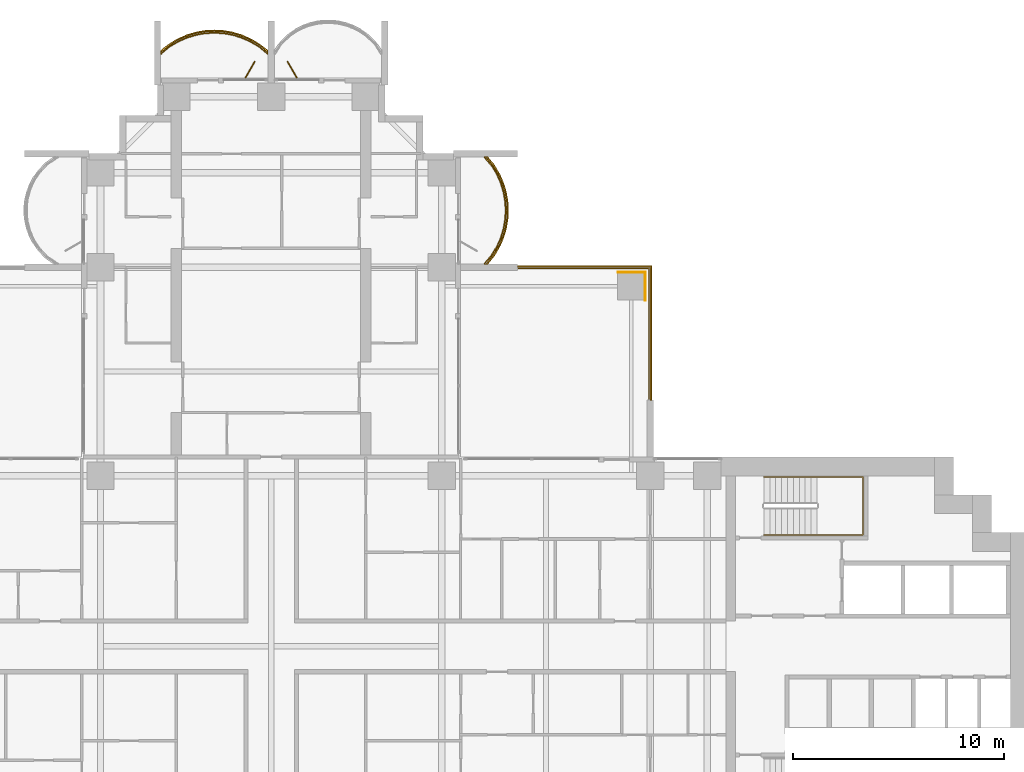
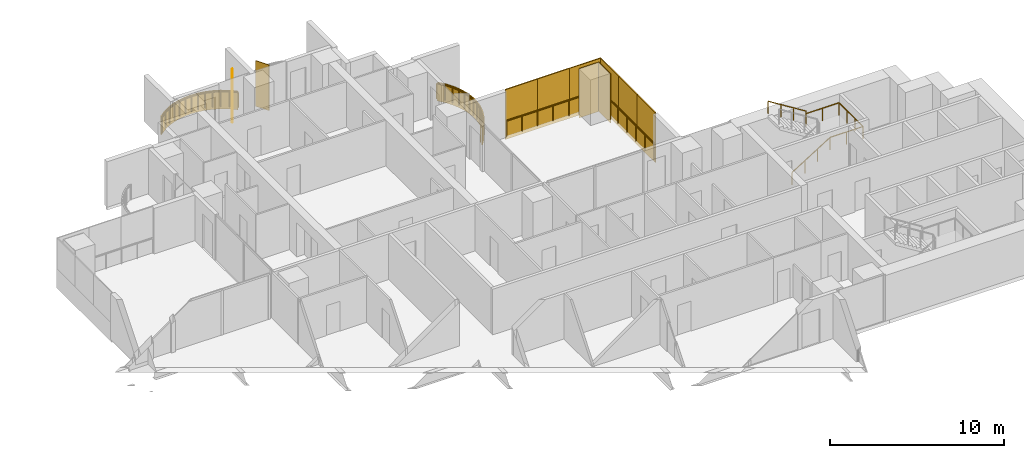
# One storey, part 20 of 21: 11 coverings, 4 railings, 2 shading devices.
"""IFC4 building model written with IfcOpenShell, lengths in metres."""

from ifc_helpers import new_model, si_unit, direction, frame, origin, origin_2d, place, context, subcontext, project, spatial, polyline, rectangle, outline, extrude, material, layer, layer_set, type_object, element, save


model = new_model("IFC4")

# Units and contexts
model_context = context("Model", 3, precision=1e-05, world=origin(), true_north=direction((0.0, 1.0)))
body_context = subcontext(model_context, "Body", "Model", "MODEL_VIEW")
ifc_project = project(units=[si_unit("LENGTHUNIT", "METRE"), si_unit("AREAUNIT", "SQUARE_METRE"), si_unit("VOLUMEUNIT", "CUBIC_METRE"), si_unit("PLANEANGLEUNIT", "RADIAN"), si_unit("MASSUNIT", "GRAM", prefix="KILO")], contexts=[model_context])

# Site, building, storey
site_placement = place(None, origin())
site = spatial("IfcSite", under=ifc_project, at=site_placement, CompositionType="ELEMENT")
building_placement = place(site_placement, origin())
building = spatial("IfcBuilding", under=site, at=building_placement, Name="Perihelion Cross Residences", CompositionType="ELEMENT")
storey_placement = place(building_placement, frame((0.0, 0.0, 89.0)))
storey = spatial("IfcBuildingStorey", under=building, at=storey_placement, Name="L20", CompositionType="ELEMENT", Elevation=89.0)

# Coverings
ifc_material_1 = material(Name="Bronze anodised aluminium", Category="aluminium")
ifc_layer_1 = layer(ifc_material_1, 0.070068359375)
ifc_layer_set_1 = layer_set([ifc_layer_1], Name="Balcony fascia 1300")
covering_type_1 = type_object("IfcCoveringType", Name="Balcony fascia 1300", PredefinedType="CLADDING", material=ifc_layer_set_1)
covering_1_placement = place(storey_placement, frame((0.0, 0.0, -0.199951171875)))
element("IfcCovering", 1, at=covering_1_placement, inside=storey, type_object=covering_type_1, Name="Fascia BF1 L20 north side east bay 2", PredefinedType="CLADDING", context=body_context, shape_type="SweptSolid", body=[
    extrude(outline(polyline([(10.59765625, 18.53515625), (10.85498046875, 18.96826171875), (11.04248046875, 19.401123046875), (11.170654296875, 19.833984375), (11.245361328125, 20.26708984375), (11.27001953125, 20.699951171875), (11.245361328125, 21.133056640625), (11.170654296875, 21.56591796875), (11.04248046875, 21.998779296875), (10.85498046875, 22.431884765625), (10.59765625, 22.86474609375), (10.28955078125, 23.25), (10.199951171875, 23.25), (10.5400390625, 22.824951171875), (10.792724609375, 22.39990234375), (10.9765625, 21.97509765625), (11.1025390625, 21.550048828125), (11.17578125, 21.125), (11.199951171875, 20.699951171875), (11.17578125, 20.27490234375), (11.1025390625, 19.85009765625), (10.9765625, 19.425048828125), (10.792724609375, 19.0), (10.5400390625, 18.574951171875), (10.199951171875, 18.14990234375), (10.28955078125, 18.14990234375), (10.59765625, 18.53515625)])), origin(), (0.0, 0.0, 1.0), 1.300048828125),
])
covering_2_placement = place(storey_placement, frame((0.0, 0.0, -0.199951171875)))
element("IfcCovering", 2, at=covering_2_placement, inside=storey, type_object=covering_type_1, Name="Fascia BF1 L20 north tip north bay 2", PredefinedType="CLADDING", context=body_context, shape_type="SweptSolid", body=[
    extrude(outline(polyline([(-0.53515625, 28.59765625), (-0.96826171875, 28.85498046875), (-1.401123046875, 29.04248046875), (-1.833984375, 29.170654296875), (-2.26708984375, 29.245361328125), (-2.699951171875, 29.27001953125), (-3.133056640625, 29.245361328125), (-3.56591796875, 29.170654296875), (-3.998779296875, 29.04248046875), (-4.431884765625, 28.85498046875), (-4.86474609375, 28.59765625), (-5.25, 28.28955078125), (-5.25, 28.199951171875), (-4.824951171875, 28.5400390625), (-4.39990234375, 28.792724609375), (-3.97509765625, 28.9765625), (-3.550048828125, 29.1025390625), (-3.125, 29.17578125), (-2.699951171875, 29.199951171875), (-2.27490234375, 29.17578125), (-1.85009765625, 29.1025390625), (-1.425048828125, 28.9765625), (-1.0, 28.792724609375), (-0.574951171875, 28.5400390625), (-0.14990234375, 28.199951171875), (-0.14990234375, 28.28955078125), (-0.53515625, 28.59765625)])), origin(), (0.0, 0.0, 1.0), 1.300048828125),
])

# Railings
ifc_material_2 = material(Name="Bronze anodised aluminium", Category="aluminium")
railing_type_1 = type_object("IfcRailingType", Name="Balcony guard 1100", PredefinedType="GUARDRAIL", material=ifc_material_2)
railing_1_placement = place(storey_placement, frame((10.139892578125, 18.175048828125, 0.0)))
element("IfcRailing", 3, at=railing_1_placement, inside=storey, type_object=railing_type_1, Name="Guard GU1 L20 north side east bay 2 balcony", PredefinedType="GUARDRAIL", context=body_context, shape_type="SweptSolid", body=[
    extrude(rectangle(XDim=0.048095703125, YDim=0.048095703125, at=origin_2d()), frame((0.0, 0.0, 1.076171875), z_axis=(0.647837396648, 0.761778647315, 0.0), x_axis=(-0.761778647315, 0.647837396648, 0.0)), (0.0, 0.0, 1.0), 0.52490234375),
    extrude(rectangle(XDim=0.048095703125, YDim=0.048095703125, at=origin_2d()), frame((0.340087890625, 0.39990234375, 1.076171875), z_axis=(0.511006381501, 0.859576918062, 0.0), x_axis=(-0.859576918062, 0.511006381501, 0.0)), (0.0, 0.0, 1.0), 0.494384765625),
    extrude(rectangle(XDim=0.048095703125, YDim=0.048095703125, at=origin_2d()), frame((0.5927734375, 0.824951171875, 1.076171875), z_axis=(0.397415137459, 0.917638931453, 0.0), x_axis=(-0.917638931453, 0.397415137459, 0.0)), (0.0, 0.0, 1.0), 0.463134765625),
    extrude(rectangle(XDim=0.048095703125, YDim=0.048095703125, at=origin_2d()), frame((0.77685546875, 1.25, 1.076171875), z_axis=(0.283656975924, 0.958925815697, 0.0), x_axis=(-0.958925815697, 0.283656975924, 0.0)), (0.0, 0.0, 1.0), 0.443359375),
    extrude(rectangle(XDim=0.048095703125, YDim=0.048095703125, at=origin_2d()), frame((0.902587890625, 1.675048828125, 1.076171875), z_axis=(0.170456843651, 0.985365142702, 0.0), x_axis=(-0.985365142702, 0.170456843651, 0.0)), (0.0, 0.0, 1.0), 0.43115234375),
    extrude(rectangle(XDim=0.048095703125, YDim=0.048095703125, at=origin_2d()), frame((0.97607421875, 2.099853515625, 1.076171875), z_axis=(0.056200523353, 0.9984195016, 0.0), x_axis=(-0.9984195016, 0.056200523353, 0.0)), (0.0, 0.0, 1.0), 0.42578125),
    extrude(rectangle(XDim=0.048095703125, YDim=0.048095703125, at=origin_2d()), frame((1.0, 2.52490234375, 1.076171875), z_axis=(-0.056200523353, 0.9984195016, 0.0), x_axis=(-0.9984195016, -0.056200523353, 0.0)), (0.0, 0.0, 1.0), 0.42578125),
    extrude(rectangle(XDim=0.048095703125, YDim=0.048095703125, at=origin_2d()), frame((0.97607421875, 2.949951171875, 1.076171875), z_axis=(-0.17036177859, 0.985381583142, 0.0), x_axis=(-0.985381583142, -0.17036177859, 0.0)), (0.0, 0.0, 1.0), 0.431396484375),
    extrude(rectangle(XDim=0.048095703125, YDim=0.048095703125, at=origin_2d()), frame((0.902587890625, 3.375, 1.076171875), z_axis=(-0.283656975924, 0.958925815697, 0.0), x_axis=(-0.958925815697, -0.283656975924, 0.0)), (0.0, 0.0, 1.0), 0.443359375),
    extrude(rectangle(XDim=0.048095703125, YDim=0.048095703125, at=origin_2d()), frame((0.77685546875, 3.800048828125, 1.076171875), z_axis=(-0.397607437634, 0.91755562531, 0.0), x_axis=(-0.91755562531, -0.397607437634, 0.0)), (0.0, 0.0, 1.0), 0.462890625),
    extrude(rectangle(XDim=0.048095703125, YDim=0.048095703125, at=origin_2d()), frame((0.5927734375, 4.224853515625, 1.076171875), z_axis=(-0.511006381501, 0.859576918062, 0.0), x_axis=(-0.859576918062, -0.511006381501, 0.0)), (0.0, 0.0, 1.0), 0.494384765625),
    extrude(rectangle(XDim=0.048095703125, YDim=0.048095703125, at=origin_2d()), frame((0.340087890625, 4.64990234375, 1.076171875), z_axis=(-0.647607934281, 0.761973728849, 0.0), x_axis=(-0.761973728849, -0.647607934281, 0.0)), (0.0, 0.0, 1.0), 0.525146484375),
    extrude(rectangle(XDim=0.0419921875, YDim=0.0419921875, at=origin_2d()), origin(), (0.0, 0.0, 1.0), 1.052001953125),
    extrude(rectangle(XDim=0.0419921875, YDim=0.0419921875, at=origin_2d()), frame((0.340087890625, 0.39990234375, 0.0)), (0.0, 0.0, 1.0), 1.052001953125),
    extrude(rectangle(XDim=0.0419921875, YDim=0.0419921875, at=origin_2d()), frame((0.5927734375, 0.824951171875, 0.0)), (0.0, 0.0, 1.0), 1.052001953125),
    extrude(rectangle(XDim=0.0419921875, YDim=0.0419921875, at=origin_2d()), frame((0.77685546875, 1.25, 0.0)), (0.0, 0.0, 1.0), 1.052001953125),
    extrude(rectangle(XDim=0.0419921875, YDim=0.0419921875, at=origin_2d()), frame((0.902587890625, 1.675048828125, 0.0)), (0.0, 0.0, 1.0), 1.052001953125),
    extrude(rectangle(XDim=0.0419921875, YDim=0.0419921875, at=origin_2d()), frame((0.97607421875, 2.099853515625, 0.0)), (0.0, 0.0, 1.0), 1.052001953125),
    extrude(rectangle(XDim=0.0419921875, YDim=0.0419921875, at=origin_2d()), frame((1.0, 2.52490234375, 0.0)), (0.0, 0.0, 1.0), 1.052001953125),
    extrude(rectangle(XDim=0.0419921875, YDim=0.0419921875, at=origin_2d()), frame((0.97607421875, 2.949951171875, 0.0)), (0.0, 0.0, 1.0), 1.052001953125),
    extrude(rectangle(XDim=0.0419921875, YDim=0.0419921875, at=origin_2d()), frame((0.902587890625, 3.375, 0.0)), (0.0, 0.0, 1.0), 1.052001953125),
    extrude(rectangle(XDim=0.0419921875, YDim=0.0419921875, at=origin_2d()), frame((0.77685546875, 3.800048828125, 0.0)), (0.0, 0.0, 1.0), 1.052001953125),
    extrude(rectangle(XDim=0.0419921875, YDim=0.0419921875, at=origin_2d()), frame((0.5927734375, 4.224853515625, 0.0)), (0.0, 0.0, 1.0), 1.052001953125),
    extrude(rectangle(XDim=0.0419921875, YDim=0.0419921875, at=origin_2d()), frame((0.340087890625, 4.64990234375, 0.0)), (0.0, 0.0, 1.0), 1.052001953125),
    extrude(rectangle(XDim=0.0419921875, YDim=0.0419921875, at=origin_2d()), frame((0.0, 5.050048828125, 0.0)), (0.0, 0.0, 1.0), 1.052001953125),
])
railing_2_placement = place(storey_placement, frame((-0.175048828125, 28.139892578125, 0.0)))
element("IfcRailing", 4, at=railing_2_placement, inside=storey, type_object=railing_type_1, Name="Guard GU1 L20 north tip north bay 2 balcony", PredefinedType="GUARDRAIL", context=body_context, shape_type="SweptSolid", body=[
    extrude(rectangle(XDim=0.048095703125, YDim=0.048095703125, at=origin_2d()), frame((0.0, 0.0, 1.076171875), z_axis=(-0.761778647315, 0.647837396648, 0.0), x_axis=(-0.647837396648, -0.761778647315, 0.0)), (0.0, 0.0, 1.0), 0.52490234375),
    extrude(rectangle(XDim=0.048095703125, YDim=0.048095703125, at=origin_2d()), frame((-0.39990234375, 0.340087890625, 1.076171875), z_axis=(-0.859576918062, 0.511006381501, 0.0), x_axis=(-0.511006381501, -0.859576918062, 0.0)), (0.0, 0.0, 1.0), 0.494384765625),
    extrude(rectangle(XDim=0.048095703125, YDim=0.048095703125, at=origin_2d()), frame((-0.824951171875, 0.5927734375, 1.076171875), z_axis=(-0.917638931453, 0.397415137459, 0.0), x_axis=(-0.397415137459, -0.917638931453, 0.0)), (0.0, 0.0, 1.0), 0.463134765625),
    extrude(rectangle(XDim=0.048095703125, YDim=0.048095703125, at=origin_2d()), frame((-1.25, 0.77685546875, 1.076171875), z_axis=(-0.958925815697, 0.283656975924, 0.0), x_axis=(-0.283656975924, -0.958925815697, 0.0)), (0.0, 0.0, 1.0), 0.443359375),
    extrude(rectangle(XDim=0.048095703125, YDim=0.048095703125, at=origin_2d()), frame((-1.675048828125, 0.902587890625, 1.076171875), z_axis=(-0.985365142702, 0.170456843651, 0.0), x_axis=(-0.170456843651, -0.985365142702, 0.0)), (0.0, 0.0, 1.0), 0.43115234375),
    extrude(rectangle(XDim=0.048095703125, YDim=0.048095703125, at=origin_2d()), frame((-2.099853515625, 0.97607421875, 1.076171875), z_axis=(-0.9984195016, 0.056200523353, 0.0), x_axis=(-0.056200523353, -0.9984195016, 0.0)), (0.0, 0.0, 1.0), 0.42578125),
    extrude(rectangle(XDim=0.048095703125, YDim=0.048095703125, at=origin_2d()), frame((-2.52490234375, 1.0, 1.076171875), z_axis=(-0.9984195016, -0.056200523353, 0.0), x_axis=(0.056200523353, -0.9984195016, 0.0)), (0.0, 0.0, 1.0), 0.42578125),
    extrude(rectangle(XDim=0.048095703125, YDim=0.048095703125, at=origin_2d()), frame((-2.949951171875, 0.97607421875, 1.076171875), z_axis=(-0.985381583142, -0.17036177859, 0.0), x_axis=(0.17036177859, -0.985381583142, 0.0)), (0.0, 0.0, 1.0), 0.431396484375),
    extrude(rectangle(XDim=0.048095703125, YDim=0.048095703125, at=origin_2d()), frame((-3.375, 0.902587890625, 1.076171875), z_axis=(-0.958925815697, -0.283656975924, 0.0), x_axis=(0.283656975924, -0.958925815697, 0.0)), (0.0, 0.0, 1.0), 0.443359375),
    extrude(rectangle(XDim=0.048095703125, YDim=0.048095703125, at=origin_2d()), frame((-3.800048828125, 0.77685546875, 1.076171875), z_axis=(-0.91755562531, -0.397607437634, 0.0), x_axis=(0.397607437634, -0.91755562531, 0.0)), (0.0, 0.0, 1.0), 0.462890625),
    extrude(rectangle(XDim=0.048095703125, YDim=0.048095703125, at=origin_2d()), frame((-4.224853515625, 0.5927734375, 1.076171875), z_axis=(-0.859576918062, -0.511006381501, 0.0), x_axis=(0.511006381501, -0.859576918062, 0.0)), (0.0, 0.0, 1.0), 0.494384765625),
    extrude(rectangle(XDim=0.048095703125, YDim=0.048095703125, at=origin_2d()), frame((-4.64990234375, 0.340087890625, 1.076171875), z_axis=(-0.761973728849, -0.647607934281, 0.0), x_axis=(0.647607934281, -0.761973728849, 0.0)), (0.0, 0.0, 1.0), 0.525146484375),
    extrude(rectangle(XDim=0.0419921875, YDim=0.0419921875, at=origin_2d()), origin(), (0.0, 0.0, 1.0), 1.052001953125),
    extrude(rectangle(XDim=0.0419921875, YDim=0.0419921875, at=origin_2d()), frame((-0.39990234375, 0.340087890625, 0.0)), (0.0, 0.0, 1.0), 1.052001953125),
    extrude(rectangle(XDim=0.0419921875, YDim=0.0419921875, at=origin_2d()), frame((-0.824951171875, 0.5927734375, 0.0)), (0.0, 0.0, 1.0), 1.052001953125),
    extrude(rectangle(XDim=0.0419921875, YDim=0.0419921875, at=origin_2d()), frame((-1.25, 0.77685546875, 0.0)), (0.0, 0.0, 1.0), 1.052001953125),
    extrude(rectangle(XDim=0.0419921875, YDim=0.0419921875, at=origin_2d()), frame((-1.675048828125, 0.902587890625, 0.0)), (0.0, 0.0, 1.0), 1.052001953125),
    extrude(rectangle(XDim=0.0419921875, YDim=0.0419921875, at=origin_2d()), frame((-2.099853515625, 0.97607421875, 0.0)), (0.0, 0.0, 1.0), 1.052001953125),
    extrude(rectangle(XDim=0.0419921875, YDim=0.0419921875, at=origin_2d()), frame((-2.52490234375, 1.0, 0.0)), (0.0, 0.0, 1.0), 1.052001953125),
    extrude(rectangle(XDim=0.0419921875, YDim=0.0419921875, at=origin_2d()), frame((-2.949951171875, 0.97607421875, 0.0)), (0.0, 0.0, 1.0), 1.052001953125),
    extrude(rectangle(XDim=0.0419921875, YDim=0.0419921875, at=origin_2d()), frame((-3.375, 0.902587890625, 0.0)), (0.0, 0.0, 1.0), 1.052001953125),
    extrude(rectangle(XDim=0.0419921875, YDim=0.0419921875, at=origin_2d()), frame((-3.800048828125, 0.77685546875, 0.0)), (0.0, 0.0, 1.0), 1.052001953125),
    extrude(rectangle(XDim=0.0419921875, YDim=0.0419921875, at=origin_2d()), frame((-4.224853515625, 0.5927734375, 0.0)), (0.0, 0.0, 1.0), 1.052001953125),
    extrude(rectangle(XDim=0.0419921875, YDim=0.0419921875, at=origin_2d()), frame((-4.64990234375, 0.340087890625, 0.0)), (0.0, 0.0, 1.0), 1.052001953125),
    extrude(rectangle(XDim=0.0419921875, YDim=0.0419921875, at=origin_2d()), frame((-5.050048828125, 0.0, 0.0)), (0.0, 0.0, 1.0), 1.052001953125),
])
railing_3_placement = place(storey_placement, frame((11.739990234375, 17.93994140625, 0.0)))
element("IfcRailing", 5, at=railing_3_placement, inside=storey, type_object=railing_type_1, Name="Guard GU1 L20 pocket north-east 1", PredefinedType="GUARDRAIL", context=body_context, shape_type="SweptSolid", body=[
    extrude(rectangle(XDim=0.048095703125, YDim=0.048095703125, at=origin_2d()), frame((0.0, 0.0, 1.076171875), z_axis=(1.0, 0.0, 0.0), x_axis=(0.0, 1.0, 0.0)), (0.0, 0.0, 1.0), 6.199951171875),
    extrude(rectangle(XDim=0.048095703125, YDim=0.048095703125, at=origin_2d()), frame((6.199951171875, 0.0, 1.076171875), z_axis=(0.0, -1.0, 0.0), x_axis=(1.0, 0.0, 0.0)), (0.0, 0.0, 1.0), 6.199951171875),
    extrude(rectangle(XDim=0.0419921875, YDim=0.0419921875, at=origin_2d()), origin(), (0.0, 0.0, 1.0), 1.052001953125),
    extrude(rectangle(XDim=0.0419921875, YDim=0.0419921875, at=origin_2d()), frame((1.033203125, 0.0, 0.0)), (0.0, 0.0, 1.0), 1.052001953125),
    extrude(rectangle(XDim=0.0419921875, YDim=0.0419921875, at=origin_2d()), frame((2.066650390625, 0.0, 0.0)), (0.0, 0.0, 1.0), 1.052001953125),
    extrude(rectangle(XDim=0.0419921875, YDim=0.0419921875, at=origin_2d()), frame((3.10009765625, 0.0, 0.0)), (0.0, 0.0, 1.0), 1.052001953125),
    extrude(rectangle(XDim=0.0419921875, YDim=0.0419921875, at=origin_2d()), frame((4.13330078125, 0.0, 0.0)), (0.0, 0.0, 1.0), 1.052001953125),
    extrude(rectangle(XDim=0.0419921875, YDim=0.0419921875, at=origin_2d()), frame((5.16650390625, 0.0, 0.0)), (0.0, 0.0, 1.0), 1.052001953125),
    extrude(rectangle(XDim=0.0419921875, YDim=0.0419921875, at=origin_2d()), frame((6.199951171875, 0.0, 0.0)), (0.0, 0.0, 1.0), 1.052001953125),
    extrude(rectangle(XDim=0.0419921875, YDim=0.0419921875, at=origin_2d()), frame((6.199951171875, -1.033203125, 0.0)), (0.0, 0.0, 1.0), 1.052001953125),
    extrude(rectangle(XDim=0.0419921875, YDim=0.0419921875, at=origin_2d()), frame((6.199951171875, -2.066650390625, 0.0)), (0.0, 0.0, 1.0), 1.052001953125),
    extrude(rectangle(XDim=0.0419921875, YDim=0.0419921875, at=origin_2d()), frame((6.199951171875, -3.10009765625, 0.0)), (0.0, 0.0, 1.0), 1.052001953125),
    extrude(rectangle(XDim=0.0419921875, YDim=0.0419921875, at=origin_2d()), frame((6.199951171875, -4.13330078125, 0.0)), (0.0, 0.0, 1.0), 1.052001953125),
    extrude(rectangle(XDim=0.0419921875, YDim=0.0419921875, at=origin_2d()), frame((6.199951171875, -5.16650390625, 0.0)), (0.0, 0.0, 1.0), 1.052001953125),
    extrude(rectangle(XDim=0.0419921875, YDim=0.0419921875, at=origin_2d()), frame((6.199951171875, -6.199951171875, 0.0)), (0.0, 0.0, 1.0), 1.052001953125),
])

# Coverings
ifc_material_3 = material(Name="Bronze anodised aluminium", Category="aluminium")
ifc_layer_2 = layer(ifc_material_3, 0.0400390625)
ifc_layer_set_2 = layer_set([ifc_layer_2], Name="Bronze column casing 40")
covering_type_2 = type_object("IfcCoveringType", Name="Bronze column casing 40", PredefinedType="CLADDING", material=ifc_layer_set_2)
covering_3_placement = place(storey_placement, frame((17.77001953125, 17.10009765625, -0.25), z_axis=(0.0, 0.0, 1.0), x_axis=(1.0, 0.0, 0.0)))
element("IfcCovering", 6, at=covering_3_placement, inside=storey, type_object=covering_type_2, Name="Cladding CC1 L20 casing east-west no. 4", PredefinedType="CLADDING", context=body_context, shape_type="SweptSolid", body=[
    extrude(rectangle(XDim=0.0400390625, YDim=1.3798828125, at=origin_2d()), origin(), (0.0, 0.0, 1.0), 3.449951171875),
])
covering_4_placement = place(storey_placement, frame((17.10009765625, 17.77001953125, -0.25), z_axis=(0.0, 0.0, 1.0), x_axis=(1.0, 0.0, 0.0)))
element("IfcCovering", 7, at=covering_4_placement, inside=storey, type_object=covering_type_2, Name="Cladding CC1 L20 casing north-south no. 4", PredefinedType="CLADDING", context=body_context, shape_type="SweptSolid", body=[
    extrude(rectangle(XDim=1.300048828125, YDim=0.0400390625, at=origin_2d()), origin(), (0.0, 0.0, 1.0), 3.449951171875),
])

# Shading devices
ifc_material_4 = material(Name="Bronze anodised aluminium", Category="aluminium")
ifc_layer_3 = layer(ifc_material_4, 0.050048828125)
ifc_layer_set_3 = layer_set([ifc_layer_3], Name="Bronze fin 900")
shading_device_type = type_object("IfcShadingDeviceType", Name="Bronze fin 900", PredefinedType="USERDEFINED", material=ifc_layer_set_3)
for number, where, z_axis, x_axis, name in (
    (8, (1.0, 27.3896484375, 0.0), (0.0, 0.0, 1.0), (-0.5, 0.866025403784, 0.0), "Fin FN1 L20 north tip north bay 1"),
    (9, (-1.0, 27.3896484375, 0.0), (0.0, 0.0, 1.0), (0.5, 0.866025403784, 0.0), "Fin FN1 L20 north tip north bay 2"),
):
    element("IfcShadingDevice", number, at=place(storey_placement, frame(where, z_axis=z_axis, x_axis=x_axis)), inside=storey, type_object=shading_device_type, Name=name, ObjectType="FIN", PredefinedType="USERDEFINED", context=body_context, shape_type="SweptSolid", body=[
        extrude(rectangle(XDim=0.89990234375, YDim=0.050048828125, at=origin_2d()), origin(), (0.0, 0.0, 1.0), 3.199951171875),
    ])

# Coverings
ifc_material_5 = material(Name="Bronze anodised aluminium", Category="aluminium")
ifc_layer_4 = layer(ifc_material_5, 0.070068359375)
ifc_layer_set_4 = layer_set([ifc_layer_4], Name="Pocket fascia 1350")
covering_type_3 = type_object("IfcCoveringType", Name="Pocket fascia 1350", PredefinedType="CLADDING", material=ifc_layer_set_4)
covering_5_placement = place(storey_placement, frame((0.0, 0.0, -0.25)))
element("IfcCovering", 10, at=covering_5_placement, inside=storey, type_object=covering_type_3, Name="Fascia BF2 L20 pocket north-east 3", PredefinedType="CLADDING", context=body_context, shape_type="SweptSolid", body=[
    extrude(outline(polyline([(18.070068359375, 18.070068359375), (11.699951171875, 18.070068359375), (11.699951171875, 18.0), (18.0, 18.0), (18.0, 11.699951171875), (18.070068359375, 11.699951171875), (18.070068359375, 18.070068359375)])), origin(), (0.0, 0.0, 1.0), 1.35009765625),
])
ifc_material_6 = material(Name="Bronze perforated aluminium", Category="aluminium")
ifc_layer_5 = layer(ifc_material_6, 0.070068359375)
ifc_layer_set_5 = layer_set([ifc_layer_5], Name="Pocket solar screen, bronze perforated")
covering_type_4 = type_object("IfcCoveringType", Name="Pocket solar screen, bronze perforated", PredefinedType="CLADDING", material=ifc_layer_set_5)
covering_6_placement = place(storey_placement, frame((0.0, 0.0, 1.10009765625)))
element("IfcCovering", 11, at=covering_6_placement, inside=storey, type_object=covering_type_4, Name="Solar screen PS1 L20 pocket north-east no. 1", PredefinedType="CLADDING", context=body_context, shape_type="SweptSolid", body=[
    extrude(outline(polyline([(18.070068359375, 11.699951171875), (18.070068359375, 13.800048828125), (18.0, 13.800048828125), (18.0, 11.699951171875), (18.070068359375, 11.699951171875)])), origin(), (0.0, 0.0, 1.0), 2.14990234375),
])
covering_7_placement = place(storey_placement, frame((0.0, 0.0, 1.10009765625)))
element("IfcCovering", 12, at=covering_7_placement, inside=storey, type_object=covering_type_4, Name="Solar screen PS1 L20 pocket north-east no. 2", PredefinedType="CLADDING", context=body_context, shape_type="SweptSolid", body=[
    extrude(outline(polyline([(18.070068359375, 13.800048828125), (18.070068359375, 15.89990234375), (18.0, 15.89990234375), (18.0, 13.800048828125), (18.070068359375, 13.800048828125)])), origin(), (0.0, 0.0, 1.0), 2.14990234375),
])
covering_8_placement = place(storey_placement, frame((0.0, 0.0, 1.10009765625)))
element("IfcCovering", 13, at=covering_8_placement, inside=storey, type_object=covering_type_4, Name="Solar screen PS1 L20 pocket north-east no. 3", PredefinedType="CLADDING", context=body_context, shape_type="SweptSolid", body=[
    extrude(outline(polyline([(18.070068359375, 15.89990234375), (18.070068359375, 18.0), (18.0, 18.0), (18.0, 15.89990234375), (18.070068359375, 15.89990234375)])), origin(), (0.0, 0.0, 1.0), 2.14990234375),
])
covering_9_placement = place(storey_placement, frame((0.0, 0.0, 1.10009765625)))
element("IfcCovering", 14, at=covering_9_placement, inside=storey, type_object=covering_type_4, Name="Solar screen PS1 L20 pocket north-east no. 4", PredefinedType="CLADDING", context=body_context, shape_type="SweptSolid", body=[
    extrude(outline(polyline([(13.8232421875, 18.0), (13.8232421875, 18.070068359375), (11.699951171875, 18.070068359375), (11.699951171875, 18.0), (13.8232421875, 18.0)])), origin(), (0.0, 0.0, 1.0), 2.14990234375),
])
covering_10_placement = place(storey_placement, frame((0.0, 0.0, 1.10009765625)))
element("IfcCovering", 15, at=covering_10_placement, inside=storey, type_object=covering_type_4, Name="Solar screen PS1 L20 pocket north-east no. 5", PredefinedType="CLADDING", context=body_context, shape_type="SweptSolid", body=[
    extrude(outline(polyline([(15.94677734375, 18.0), (15.94677734375, 18.070068359375), (13.8232421875, 18.070068359375), (13.8232421875, 18.0), (15.94677734375, 18.0)])), origin(), (0.0, 0.0, 1.0), 2.14990234375),
])
covering_11_placement = place(storey_placement, frame((0.0, 0.0, 1.10009765625)))
element("IfcCovering", 16, at=covering_11_placement, inside=storey, type_object=covering_type_4, Name="Solar screen PS1 L20 pocket north-east no. 6", PredefinedType="CLADDING", context=body_context, shape_type="SweptSolid", body=[
    extrude(outline(polyline([(18.070068359375, 18.0), (18.070068359375, 18.070068359375), (15.94677734375, 18.070068359375), (15.94677734375, 18.0), (18.070068359375, 18.0)])), origin(), (0.0, 0.0, 1.0), 2.14990234375),
])

# Railing
ifc_material_7 = material(Name="Stainless steel", Category="steel")
railing_type_2 = type_object("IfcRailingType", Name="Stair handrail 900", PredefinedType="HANDRAIL", material=ifc_material_7)
railing_4_placement = place(storey_placement, frame((23.39990234375, 5.300048828125, 0.175048828125)))
element("IfcRailing", 17, at=railing_4_placement, inside=storey, type_object=railing_type_2, Name="L20 ST-E1 stair handrail 1", PredefinedType="HANDRAIL", context=body_context, shape_type="SweptSolid", body=[
    extrude(rectangle(XDim=0.048095703125, YDim=0.048095703125, at=origin_2d()), frame((0.0, 0.0, 0.8759765625), z_axis=(0.848007534815, 0.0, 0.529984170421), x_axis=(0.0, 1.0, 0.0)), (0.0, 0.0, 1.0), 2.9716796875),
    extrude(rectangle(XDim=0.048095703125, YDim=0.048095703125, at=origin_2d()), frame((2.52001953125, 0.0, 2.45068359375), z_axis=(1.0, 0.0, 0.0), x_axis=(0.0, 1.0, 0.0)), (0.0, 0.0, 1.0), 2.18017578125),
    extrude(rectangle(XDim=0.048095703125, YDim=0.048095703125, at=origin_2d()), frame((4.7001953125, 0.0, 2.45068359375), z_axis=(0.0, 1.0, 0.0), x_axis=(-1.0, 0.0, 0.0)), (0.0, 0.0, 1.0), 2.75),
    extrude(rectangle(XDim=0.048095703125, YDim=0.048095703125, at=origin_2d()), frame((4.7001953125, 2.75, 2.45068359375), z_axis=(-1.0, 0.0, 0.0), x_axis=(0.0, -1.0, 0.0)), (0.0, 0.0, 1.0), 2.18017578125),
    extrude(rectangle(XDim=0.048095703125, YDim=0.048095703125, at=origin_2d()), frame((2.52001953125, 2.75, 2.45068359375), z_axis=(0.0, 0.0, 1.0), x_axis=(1.0, 0.0, 0.0)), (0.0, 0.0, 1.0), 0.175048828125),
    extrude(rectangle(XDim=0.048095703125, YDim=0.048095703125, at=origin_2d()), frame((2.52001953125, 2.75, 2.6259765625), z_axis=(-0.848007534815, 0.0, 0.529984170421), x_axis=(0.0, -1.0, 0.0)), (0.0, 0.0, 1.0), 2.9716796875),
    extrude(rectangle(XDim=0.0419921875, YDim=0.0419921875, at=origin_2d()), origin(), (0.0, 0.0, 1.0), 0.851806640625),
    extrude(rectangle(XDim=0.0419921875, YDim=0.0419921875, at=origin_2d()), frame((0.840087890625, 0.0, 0.52490234375)), (0.0, 0.0, 1.0), 0.851806640625),
    extrude(rectangle(XDim=0.0419921875, YDim=0.0419921875, at=origin_2d()), frame((1.679931640625, 0.0, 1.050048828125)), (0.0, 0.0, 1.0), 0.851806640625),
    extrude(rectangle(XDim=0.0419921875, YDim=0.0419921875, at=origin_2d()), frame((2.52001953125, 0.0, 1.574951171875)), (0.0, 0.0, 1.0), 0.851806640625),
    extrude(rectangle(XDim=0.0419921875, YDim=0.0419921875, at=origin_2d()), frame((3.610107421875, 0.0, 1.574951171875)), (0.0, 0.0, 1.0), 0.851806640625),
    extrude(rectangle(XDim=0.0419921875, YDim=0.0419921875, at=origin_2d()), frame((4.7001953125, 0.0, 1.574951171875)), (0.0, 0.0, 1.0), 0.851806640625),
    extrude(rectangle(XDim=0.0419921875, YDim=0.0419921875, at=origin_2d()), frame((4.7001953125, 0.916748046875, 1.574951171875)), (0.0, 0.0, 1.0), 0.851806640625),
    extrude(rectangle(XDim=0.0419921875, YDim=0.0419921875, at=origin_2d()), frame((4.7001953125, 1.833251953125, 1.574951171875)), (0.0, 0.0, 1.0), 0.851806640625),
    extrude(rectangle(XDim=0.0419921875, YDim=0.0419921875, at=origin_2d()), frame((4.7001953125, 2.75, 1.574951171875)), (0.0, 0.0, 1.0), 0.851806640625),
    extrude(rectangle(XDim=0.0419921875, YDim=0.0419921875, at=origin_2d()), frame((3.610107421875, 2.75, 1.574951171875)), (0.0, 0.0, 1.0), 0.851806640625),
    extrude(rectangle(XDim=0.0419921875, YDim=0.0419921875, at=origin_2d()), frame((2.52001953125, 2.75, 1.574951171875)), (0.0, 0.0, 1.0), 0.851806640625),
    extrude(rectangle(XDim=0.0419921875, YDim=0.0419921875, at=origin_2d()), frame((2.52001953125, 2.75, 1.75)), (0.0, 0.0, 1.0), 0.851806640625),
    extrude(rectangle(XDim=0.0419921875, YDim=0.0419921875, at=origin_2d()), frame((1.679931640625, 2.75, 2.27490234375)), (0.0, 0.0, 1.0), 0.851806640625),
    extrude(rectangle(XDim=0.0419921875, YDim=0.0419921875, at=origin_2d()), frame((0.840087890625, 2.75, 2.800048828125)), (0.0, 0.0, 1.0), 0.851806640625),
    extrude(rectangle(XDim=0.0419921875, YDim=0.0419921875, at=origin_2d()), frame((0.0, 2.75, 3.324951171875)), (0.0, 0.0, 1.0), 0.851806640625),
])

save(model, "model.ifc")
